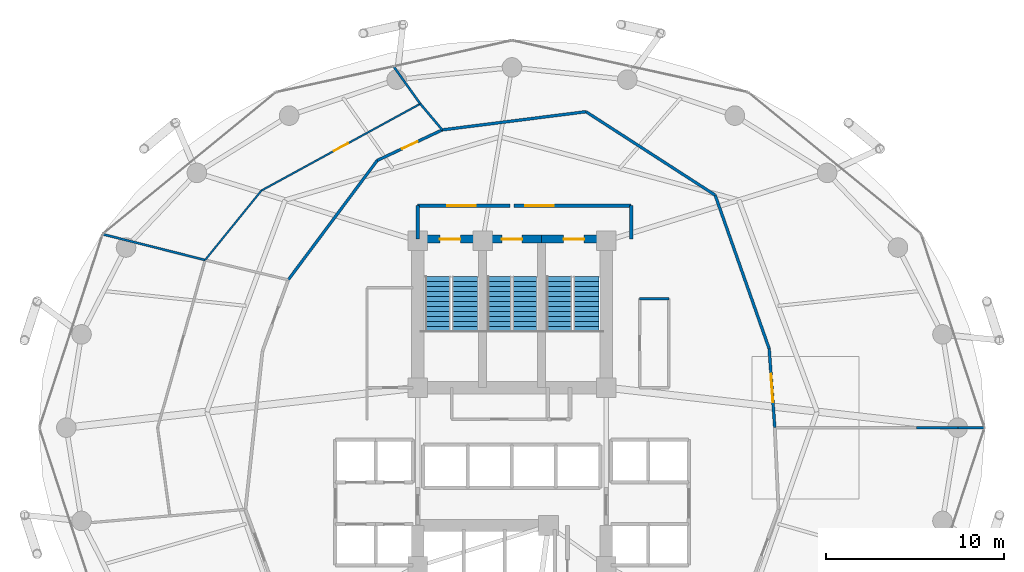
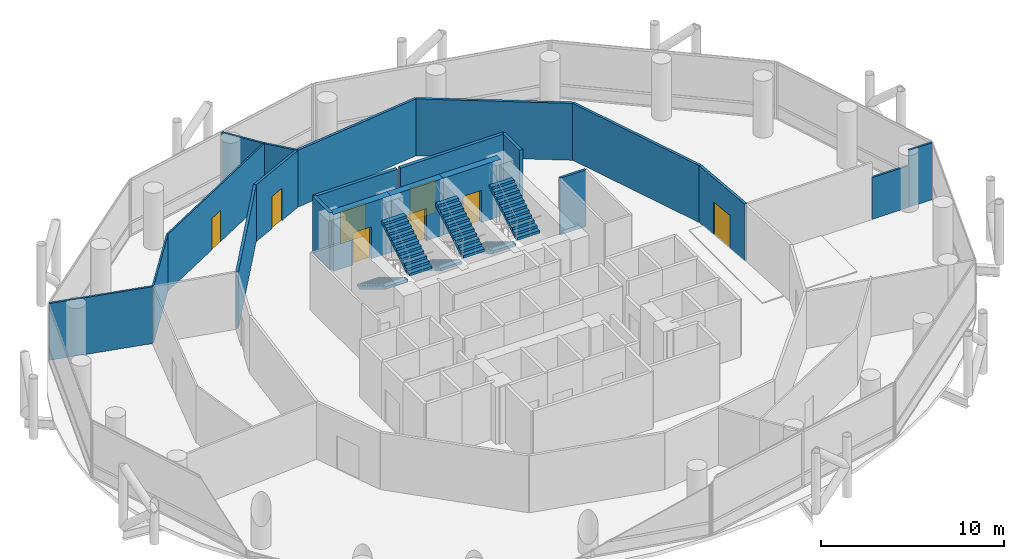
# One storey, part 23 of 24: 21 walls, 8 doors, 6 stair flights, 8 openings, 3 elements without a shape of their own.
"""IFC4 building model written with IfcOpenShell, lengths in metres."""

import ifcopenshell
import ifcopenshell.guid

model = None  # the IFC model being written
_history = None  # IfcOwnerHistory: only IFC2X3 demands one
_inside = {}  # id of a spatial element -> (the spatial element, [elements in it])
_under = {}  # id of a project, library or spatial element -> (it, [spatial elements below it])
_declared = {}  # id of a project -> (the project, [libraries it declares])
_typed = {}  # id of a type object -> (the type object, [elements of that type])
_made_of = {}  # id of a material, layer set ... -> (it, [elements and type objects made of it])


def new_model(schema):
    """Start an empty IFC model of exactly this schema.

    Asked for "IFC4X3", IfcOpenShell would pick the latest addendum, in which some entities
    have other attributes; the version numbers below select the first issue.
    IFC2X3 requires an IfcOwnerHistory on every rooted entity: one is made here for all.
    """
    global model, _history
    if schema == "IFC4X3":
        model = ifcopenshell.file(schema_version=(4, 3, 0, 0))
    else:
        model = ifcopenshell.file(schema=schema)
    _inside.clear()
    _under.clear()
    _declared.clear()
    _typed.clear()
    _made_of.clear()
    _history = None
    if model.schema == "IFC2X3":
        org = make("IfcOrganization", Name="unknown")
        user = make(
            "IfcPersonAndOrganization",
            ThePerson=make("IfcPerson", FamilyName="unknown"),
            TheOrganization=org,
        )
        app = make(
            "IfcApplication",
            ApplicationDeveloper=org,
            Version="unknown",
            ApplicationFullName="unknown",
            ApplicationIdentifier="unknown",
        )
        _history = make(
            "IfcOwnerHistory",
            OwningUser=user,
            OwningApplication=app,
            ChangeAction="ADDED",
            CreationDate=0,
        )
    return model


def make(cls, **values):
    """One entity of the class cls with the attributes given. An attribute that is None is left unset."""
    return model.create_entity(
        cls, **{name: value for name, value in values.items() if value is not None}
    )


def rooted(cls, **values):
    """An entity with a GlobalId (a new one), such as an element, a storey or a relation."""
    return make(cls, GlobalId=ifcopenshell.guid.new(), OwnerHistory=_history, **values)


def si_unit(unit_type, name, prefix=None):
    """IfcSIUnit, for example si_unit("LENGTHUNIT", "METRE", prefix="MILLI")."""
    return make("IfcSIUnit", UnitType=unit_type, Prefix=prefix, Name=name)


def assignment(units):
    """IfcUnitAssignment: the units of a project."""
    return None if units is None else make("IfcUnitAssignment", Units=units)


def point(xyz):
    """IfcCartesianPoint."""
    return None if xyz is None else make("IfcCartesianPoint", Coordinates=xyz)


def direction(xyz):
    """IfcDirection."""
    return None if xyz is None else make("IfcDirection", DirectionRatios=xyz)


def frame(location, z_axis=None, x_axis=None):
    """IfcAxis2Placement3D, a coordinate frame: its origin and axes. An axis left out is left unset."""
    return make(
        "IfcAxis2Placement3D",
        Location=point(location),
        Axis=direction(z_axis),
        RefDirection=direction(x_axis),
    )


def frame_2d(location, x_axis=None):
    """IfcAxis2Placement2D, a coordinate frame in the plane: its origin and x axis."""
    return make(
        "IfcAxis2Placement2D", Location=point(location), RefDirection=direction(x_axis)
    )


def origin():
    """The frame at (0, 0, 0) with its axes left unset."""
    return frame((0.0, 0.0, 0.0))


def place(relative_to, where):
    """IfcLocalPlacement: puts the frame where relative to a parent placement (None: the world)."""
    return make(
        "IfcLocalPlacement", PlacementRelTo=relative_to, RelativePlacement=where
    )


def context(
    kind, dimensions, precision=None, world=None, true_north=None, identifier=None
):
    """IfcGeometricRepresentationContext, for example the 3D "Model" context."""
    return make(
        "IfcGeometricRepresentationContext",
        ContextIdentifier=identifier,
        ContextType=kind,
        CoordinateSpaceDimension=dimensions,
        Precision=precision,
        WorldCoordinateSystem=world,
        TrueNorth=true_north,
    )


def subcontext(parent, identifier, kind, view, scale=None):
    """IfcGeometricRepresentationSubContext, for example "Body" below "Model"."""
    return make(
        "IfcGeometricRepresentationSubContext",
        ContextIdentifier=identifier,
        ContextType=kind,
        ParentContext=parent,
        TargetScale=scale,
        TargetView=view,
    )


def project(units=None, contexts=None):
    """IfcProject with its units and contexts."""
    return rooted(
        "IfcProject",
        Name="project",
        RepresentationContexts=contexts,
        UnitsInContext=assignment(units),
    )


def spatial(cls, under=None, at=None, **own):
    """A site, building, storey or space (cls), placed at a placement, below another one or the project."""
    s = rooted(cls, ObjectPlacement=at, **own)
    if under is not None:
        _under.setdefault(under.id(), (under, []))[1].append(s)
    return s


def polyline(points):
    """IfcPolyline through the points."""
    return make("IfcPolyline", Points=[point(p) for p in points])


def profile(cls, at=None, kind="AREA", **sizes):
    """A parametric profile (cls). Its sizes go by their IFC names, for example OverallWidth=200.0."""
    return make(cls, ProfileType=kind, Position=at, **sizes)


def rectangle(**sizes):
    """IfcRectangleProfileDef."""
    return profile("IfcRectangleProfileDef", **sizes)


def outline(outer, holes=None, kind="AREA"):
    """IfcArbitraryClosedProfileDef: a profile drawn as a closed curve; with holes, ...WithVoids."""
    if holes is None:
        return make("IfcArbitraryClosedProfileDef", ProfileType=kind, OuterCurve=outer)
    return make(
        "IfcArbitraryProfileDefWithVoids",
        ProfileType=kind,
        OuterCurve=outer,
        InnerCurves=holes,
    )


def extrude(swept, where, along, depth):
    """IfcExtrudedAreaSolid: the profile swept, set in the frame where, extruded along a direction by depth."""
    return make(
        "IfcExtrudedAreaSolid",
        SweptArea=swept,
        Position=where,
        ExtrudedDirection=direction(along),
        Depth=depth,
    )


def shape(context_of_items, identifier, shape_type, items):
    """IfcShapeRepresentation: the items that make up one representation, for example the "Body"."""
    return make(
        "IfcShapeRepresentation",
        ContextOfItems=context_of_items,
        RepresentationIdentifier=identifier,
        RepresentationType=shape_type,
        Items=items,
    )


def material(Name=None, Category=None):
    """IfcMaterial."""
    return make("IfcMaterial", Name=Name, Category=Category)


def layer(
    of_material, thickness, ventilated=None, Name=None, Category=None, Priority=None
):
    """IfcMaterialLayer: one layer of a wall or slab, of a material (None: an air gap)."""
    return make(
        "IfcMaterialLayer",
        Material=of_material,
        LayerThickness=thickness,
        IsVentilated=ventilated,
        Name=Name,
        Category=Category,
        Priority=Priority,
    )


def layer_set(layers, Name=None):
    """IfcMaterialLayerSet."""
    return make("IfcMaterialLayerSet", MaterialLayers=layers, LayerSetName=Name)


def made_of(thing, what):
    """Note that an element or type object is made of a material, layer set ...; save() writes the relation."""
    if what is not None:
        _made_of.setdefault(what.id(), (what, []))[1].append(thing)
    return thing


def type_object(cls, material=None, **own):
    """A type object (cls), such as IfcWallType, which elements share."""
    return made_of(rooted(cls, **own), material)


def element(
    cls,
    number,
    at=None,
    inside=None,
    cuts=None,
    type_object=None,
    material=None,
    context=None,
    identifier="Body",
    shape_type=None,
    held_by="IfcProductDefinitionShape",
    body=None,
    shapes=None,
    **own,
):
    """One element of the class cls, such as IfcWall. Its Tag is "e" and its number.

    at: its placement. inside: the storey or other place that contains it. cuts: it is an
    opening in that element (IfcRelVoidsElement). A single representation is given by context,
    identifier, shape_type and body (its items); several are given by shapes. held_by: the class
    of the entity that holds the representations. save() writes the other relations.
    """
    e = rooted(cls, Tag="e%d" % number, ObjectPlacement=at, **own)
    if body is not None:
        shapes = [shape(context, identifier, shape_type, body)]
    if shapes is not None:
        e.Representation = make(held_by, Representations=shapes)
    if inside is not None:
        _inside.setdefault(inside.id(), (inside, []))[1].append(e)
    if cuts is not None:
        rooted(
            "IfcRelVoidsElement", RelatingBuildingElement=cuts, RelatedOpeningElement=e
        )
    if type_object is not None:
        _typed.setdefault(type_object.id(), (type_object, []))[1].append(e)
    return made_of(e, material)


def fill(opening, filler):
    """IfcRelFillsElement: the door or window that sits in an opening."""
    return rooted(
        "IfcRelFillsElement",
        RelatingOpeningElement=opening,
        RelatedBuildingElement=filler,
    )


def aggregate(whole, parts):
    """IfcRelAggregates: a whole, such as a stair, and the parts it consists of."""
    return rooted("IfcRelAggregates", RelatingObject=whole, RelatedObjects=parts)


def save(model, path):
    """Write the relations noted so far, then the file.

    IfcRelAggregates (storeys below a building ...), IfcRelContainedInSpatialStructure (elements
    in a storey), IfcRelDefinesByType, IfcRelAssociatesMaterial and IfcRelDeclares: one each for
    every whole, place, type object, material and project.
    """
    for whole, parts in _under.values():
        aggregate(whole, parts)
    for where, things in _inside.values():
        rooted(
            "IfcRelContainedInSpatialStructure",
            RelatedElements=things,
            RelatingStructure=where,
        )
    for kind, things in _typed.values():
        rooted("IfcRelDefinesByType", RelatedObjects=things, RelatingType=kind)
    for what, things in _made_of.values():
        rooted("IfcRelAssociatesMaterial", RelatedObjects=things, RelatingMaterial=what)
    for by, libraries in _declared.values():
        rooted("IfcRelDeclares", RelatingContext=by, RelatedDefinitions=libraries)
    model.write(path)


model = new_model("IFC4")

# Units and contexts
model_context = context("Model", 3, precision=1e-05, world=origin(), true_north=direction((0.0, 1.0)))
body_context = subcontext(model_context, "Body", "Model", "MODEL_VIEW")
ifc_project = project(units=[si_unit("LENGTHUNIT", "METRE"), si_unit("AREAUNIT", "SQUARE_METRE"), si_unit("VOLUMEUNIT", "CUBIC_METRE"), si_unit("PLANEANGLEUNIT", "RADIAN"), si_unit("MASSUNIT", "GRAM", prefix="KILO")], contexts=[model_context])

# Site, building, storey
site_placement = place(None, origin())
site = spatial("IfcSite", under=ifc_project, at=site_placement, CompositionType="ELEMENT")
building_placement = place(site_placement, origin())
building = spatial("IfcBuilding", under=site, at=building_placement, Name="Nuhasar Tower", CompositionType="ELEMENT")
storey_placement = place(building_placement, frame((0.0, 0.0, 85.800048828125)))
storey = spatial("IfcBuildingStorey", under=building, at=storey_placement, Name="L20", CompositionType="ELEMENT", Elevation=85.800048828125)

# Wall, opening, door
ifc_material_1 = material(Name="Concrete C50/60", Category="concrete")
ifc_layer_1 = layer(ifc_material_1, 0.449951171875)
ifc_layer_set_1 = layer_set([ifc_layer_1], Name="Concrete C50/60")
wall_type_1 = type_object("IfcWallType", Name="WL-CORE-450", PredefinedType="SHEAR", material=ifc_layer_set_1)
wall_1_placement = place(storey_placement, frame((37.35009765625, 37.39990234375, 0.0), z_axis=(0.0, 0.0, 1.0), x_axis=(-1.0, 0.0, 0.0)))
wall_1 = element("IfcWall", 1, at=wall_1_placement, inside=storey, type_object=wall_type_1, Name="L20 Stairwell Shear Wall ST01-N", PredefinedType="SHEAR", context=body_context, shape_type="SweptSolid", body=[
    extrude(rectangle(XDim=3.650146484375, YDim=0.449951171875, at=frame_2d((1.8251953125, 0.0))), origin(), (0.0, 0.0, 1.0), 3.800048828125),
])
opening_1_placement = place(wall_1_placement, frame((1.25, 0.0, 0.0)))
opening_1 = element("IfcOpeningElement", 2, at=opening_1_placement, cuts=wall_1, Name="Opening DS-01", PredefinedType="OPENING", context=body_context, shape_type="SweptSolid", body=[
    extrude(rectangle(XDim=1.14990234375, YDim=2.14990234375, at=frame_2d((0.574951171875, 1.074951171875))), frame((0.0, 0.23486328125, 0.0), z_axis=(0.0, -1.0, 0.0), x_axis=(1.0, 0.0, 0.0)), (0.0, 0.0, 1.0), 0.469970703125),
])
ifc_material_2 = material(Name="Steel S355", Category="steel")
door_type_1 = type_object("IfcDoorType", Name="DR-STAIR-FD120-1150", OperationType="NOTDEFINED", PredefinedType="DOOR", material=ifc_material_2)
door_1_placement = place(opening_1_placement, origin())
door_1 = element("IfcDoor", 3, at=door_1_placement, inside=storey, type_object=door_type_1, Name="L20 Exit Stair ST-01 Door", OperationType="SINGLE_SWING_RIGHT", OverallHeight=2.14990234375, OverallWidth=1.14990234375, PredefinedType="DOOR", context=body_context, shape_type="SweptSolid", body=[
    extrude(rectangle(XDim=1.14990234375, YDim=2.14990234375, at=frame_2d((0.574951171875, 1.074951171875))), frame((0.0, 0.02490234375, 0.0), z_axis=(0.0, -1.0, 0.0), x_axis=(1.0, 0.0, 0.0)), (0.0, 0.0, 1.0), 0.050048828125),
])
fill(opening_1, door_1)

wall_2_placement = place(storey_placement, frame((40.64990234375, 37.39990234375, 0.0), z_axis=(0.0, 0.0, 1.0), x_axis=(-1.0, 0.0, 0.0)))
wall_2 = element("IfcWall", 4, at=wall_2_placement, inside=storey, type_object=wall_type_1, Name="L20 Stairwell Shear Wall ST03-N", PredefinedType="SHEAR", context=body_context, shape_type="SweptSolid", body=[
    extrude(rectangle(XDim=3.2998046875, YDim=0.449951171875, at=frame_2d((1.64990234375, 0.0))), origin(), (0.0, 0.0, 1.0), 3.800048828125),
])
opening_2_placement = place(wall_2_placement, frame((1.074951171875, 0.0, 0.0)))
opening_2 = element("IfcOpeningElement", 5, at=opening_2_placement, cuts=wall_2, Name="Opening DS-01", PredefinedType="OPENING", context=body_context, shape_type="SweptSolid", body=[
    extrude(rectangle(XDim=1.14990234375, YDim=2.14990234375, at=frame_2d((0.574951171875, 1.074951171875))), frame((0.0, 0.23486328125, 0.0), z_axis=(0.0, -1.0, 0.0), x_axis=(1.0, 0.0, 0.0)), (0.0, 0.0, 1.0), 0.469970703125),
])
door_2_placement = place(opening_2_placement, origin())
door_2 = element("IfcDoor", 6, at=door_2_placement, inside=storey, type_object=door_type_1, Name="L20 Exit Stair ST-03 Door", OperationType="SINGLE_SWING_RIGHT", OverallHeight=2.14990234375, OverallWidth=1.14990234375, PredefinedType="DOOR", context=body_context, shape_type="SweptSolid", body=[
    extrude(rectangle(XDim=1.14990234375, YDim=2.14990234375, at=frame_2d((0.574951171875, 1.074951171875))), frame((0.0, 0.02490234375, 0.0), z_axis=(0.0, -1.0, 0.0), x_axis=(1.0, 0.0, 0.0)), (0.0, 0.0, 1.0), 0.050048828125),
])
fill(opening_2, door_2)

wall_3_placement = place(storey_placement, frame((44.300048828125, 37.39990234375, 0.0), z_axis=(0.0, 0.0, 1.0), x_axis=(-1.0, 0.0, 0.0)))
wall_3 = element("IfcWall", 7, at=wall_3_placement, inside=storey, type_object=wall_type_1, Name="L20 Stairwell Shear Wall ST02-N", PredefinedType="SHEAR", context=body_context, shape_type="SweptSolid", body=[
    extrude(rectangle(XDim=3.650146484375, YDim=0.449951171875, at=frame_2d((1.8251953125, 0.0))), origin(), (0.0, 0.0, 1.0), 3.800048828125),
])
opening_3_placement = place(wall_3_placement, frame((1.25, 0.0, 0.0)))
opening_3 = element("IfcOpeningElement", 8, at=opening_3_placement, cuts=wall_3, Name="Opening DS-01", PredefinedType="OPENING", context=body_context, shape_type="SweptSolid", body=[
    extrude(rectangle(XDim=1.14990234375, YDim=2.14990234375, at=frame_2d((0.574951171875, 1.074951171875))), frame((0.0, 0.23486328125, 0.0), z_axis=(0.0, -1.0, 0.0), x_axis=(1.0, 0.0, 0.0)), (0.0, 0.0, 1.0), 0.469970703125),
])
door_3_placement = place(opening_3_placement, origin())
door_3 = element("IfcDoor", 9, at=door_3_placement, inside=storey, type_object=door_type_1, Name="L20 Exit Stair ST-02 Door", OperationType="SINGLE_SWING_LEFT", OverallHeight=2.14990234375, OverallWidth=1.14990234375, PredefinedType="DOOR", context=body_context, shape_type="SweptSolid", body=[
    extrude(rectangle(XDim=1.14990234375, YDim=2.14990234375, at=frame_2d((0.574951171875, 1.074951171875))), frame((0.0, 0.02490234375, 0.0), z_axis=(0.0, -1.0, 0.0), x_axis=(1.0, 0.0, 0.0)), (0.0, 0.0, 1.0), 0.050048828125),
])
fill(opening_3, door_3)

ifc_material_3 = material(Name="Gypsum Board", Category="gypsum")
ifc_layer_2 = layer(ifc_material_3, 0.159912109375)
ifc_layer_set_2 = layer_set([ifc_layer_2], Name="Gypsum Board")
wall_type_2 = type_object("IfcWallType", Name="WL-CORR-160", PredefinedType="PARTITIONING", material=ifc_layer_set_2)
wall_4_placement = place(storey_placement, frame((53.455078125, 31.23388671875, 0.0), z_axis=(0.0, 0.0, 1.0), x_axis=(0.070852813603, -0.997486781268, 0.0)))
wall_4 = element("IfcWall", 10, at=wall_4_placement, inside=storey, type_object=wall_type_2, Name="L20 Interior Partition CORR-00", PredefinedType="PARTITIONING", context=body_context, shape_type="SweptSolid", body=[
    extrude(rectangle(XDim=4.445068359375, YDim=0.159912109375, at=frame_2d((2.22265625, 0.0))), origin(), (0.0, 0.0, 1.0), 3.800048828125),
])
opening_4_placement = place(wall_4_placement, frame((1.423095703125, 0.0, 0.0)))
opening_4 = element("IfcOpeningElement", 11, at=opening_4_placement, cuts=wall_4, Name="Opening DC-01", PredefinedType="OPENING", context=body_context, shape_type="SweptSolid", body=[
    extrude(rectangle(XDim=1.60009765625, YDim=2.199951171875, at=frame_2d((0.800048828125, 1.10009765625))), frame((0.0, 0.08984375, 0.0), z_axis=(0.0, -1.0, 0.0), x_axis=(1.0, 0.0, 0.0)), (0.0, 0.0, 1.0), 0.179931640625),
])
door_type_2 = type_object("IfcDoorType", Name="DR-CORR-FD60-1600", OperationType="DOUBLE_DOOR_SINGLE_SWING", PredefinedType="DOOR", material=ifc_material_2)
door_4_placement = place(opening_4_placement, origin())
door_4 = element("IfcDoor", 12, at=door_4_placement, inside=storey, type_object=door_type_2, Name="L20 Diplomatic Chancery Open-Plan Hall Entry Door", OperationType="DOUBLE_DOOR_SINGLE_SWING", OverallHeight=2.199951171875, OverallWidth=1.60009765625, PredefinedType="DOOR", context=body_context, shape_type="SweptSolid", body=[
    extrude(rectangle(XDim=1.60009765625, YDim=2.199951171875, at=frame_2d((0.800048828125, 1.10009765625))), frame((0.0, 0.02490234375, 0.0), z_axis=(0.0, -1.0, 0.0), x_axis=(1.0, 0.0, 0.0)), (0.0, 0.0, 1.0), 0.050048828125),
])
fill(opening_4, door_4)

# Walls
wall_5_placement = place(storey_placement, frame((53.455078125, 31.23388671875, 0.0), z_axis=(0.0, 0.0, 1.0), x_axis=(-0.331754156234, 0.943365878025, 0.0)))
element("IfcWall", 13, at=wall_5_placement, inside=storey, type_object=wall_type_2, Name="L20 Interior Partition CORR-02", PredefinedType="PARTITIONING", context=body_context, shape_type="SweptSolid", body=[
    extrude(rectangle(XDim=9.15478515625, YDim=0.159912109375, at=frame_2d((4.577392578125, 0.0))), origin(), (0.0, 0.0, 1.0), 3.800048828125),
])
wall_6_placement = place(storey_placement, frame((50.41796875, 39.8701171875, 0.0), z_axis=(0.0, 0.0, 1.0), x_axis=(-0.840113125335, 0.542411224662, 0.0)))
element("IfcWall", 14, at=wall_6_placement, inside=storey, type_object=wall_type_2, Name="L20 Interior Partition CORR-06", PredefinedType="PARTITIONING", context=body_context, shape_type="SweptSolid", body=[
    extrude(rectangle(XDim=8.642822265625, YDim=0.159912109375, at=frame_2d((4.3212890625, 0.0))), origin(), (0.0, 0.0, 1.0), 3.800048828125),
])
wall_7_placement = place(storey_placement, frame((43.156982421875, 44.55810546875, 0.0), z_axis=(0.0, 0.0, 1.0), x_axis=(-0.992082384678, -0.125588781395, 0.0)))
element("IfcWall", 15, at=wall_7_placement, inside=storey, type_object=wall_type_2, Name="L20 Interior Partition CORR-10", PredefinedType="PARTITIONING", context=body_context, shape_type="SweptSolid", body=[
    extrude(rectangle(XDim=8.139404296875, YDim=0.159912109375, at=frame_2d((4.06982421875, 0.0))), origin(), (0.0, 0.0, 1.0), 3.800048828125),
])

# Wall, opening, door
wall_8_placement = place(storey_placement, frame((31.425048828125, 41.818115234375, 0.0), z_axis=(0.0, 0.0, 1.0), x_axis=(0.905119749385, 0.42515672319, 0.0)))
wall_8 = element("IfcWall", 16, at=wall_8_placement, inside=storey, type_object=wall_type_2, Name="L20 Interior Partition CORR-14", PredefinedType="PARTITIONING", context=body_context, shape_type="SweptSolid", body=[
    extrude(rectangle(XDim=4.040283203125, YDim=0.159912109375, at=frame_2d((2.02001953125, 0.0))), origin(), (0.0, 0.0, 1.0), 3.800048828125),
])
opening_5_placement = place(wall_8_placement, frame((1.544921875, 0.0, 0.0)))
opening_5 = element("IfcOpeningElement", 17, at=opening_5_placement, cuts=wall_8, Name="Opening DO-01", PredefinedType="OPENING", context=body_context, shape_type="SweptSolid", body=[
    extrude(rectangle(XDim=0.949951171875, YDim=2.14990234375, at=frame_2d((0.47509765625, 1.074951171875))), frame((0.0, 0.08984375, 0.0), z_axis=(0.0, -1.0, 0.0), x_axis=(1.0, 0.0, 0.0)), (0.0, 0.0, 1.0), 0.179931640625),
])
ifc_material_4 = material(Name="Timber Oak", Category="wood")
door_type_3 = type_object("IfcDoorType", Name="DR-OFFICE-FD30-950", OperationType="NOTDEFINED", PredefinedType="DOOR", material=ifc_material_4)
door_5_placement = place(opening_5_placement, origin())
door_5 = element("IfcDoor", 18, at=door_5_placement, inside=storey, type_object=door_type_3, Name="L20 Ambassador Ceremonial Hall Entry Door", OperationType="SINGLE_SWING_LEFT", OverallHeight=2.14990234375, OverallWidth=0.949951171875, PredefinedType="DOOR", context=body_context, shape_type="SweptSolid", body=[
    extrude(rectangle(XDim=0.949951171875, YDim=2.14990234375, at=frame_2d((0.47509765625, 1.074951171875))), frame((0.0, 0.02490234375, 0.0), z_axis=(0.0, -1.0, 0.0), x_axis=(1.0, 0.0, 0.0)), (0.0, 0.0, 1.0), 0.050048828125),
])
fill(opening_5, door_5)

# Walls
wall_9_placement = place(storey_placement, frame((31.425048828125, 41.818115234375, 0.0), z_axis=(0.0, 0.0, 1.0), x_axis=(-0.597625536664, -0.801775353779, 0.0)))
element("IfcWall", 19, at=wall_9_placement, inside=storey, type_object=wall_type_2, Name="L20 Interior Partition CORR-16", PredefinedType="PARTITIONING", context=body_context, shape_type="SweptSolid", body=[
    extrude(rectangle(XDim=8.366455078125, YDim=0.159912109375, at=frame_2d((4.18310546875, 0.0))), origin(), (0.0, 0.0, 1.0), 3.800048828125),
])
ifc_material_5 = material(Name="Concrete C45/55", Category="concrete")
ifc_layer_3 = layer(ifc_material_5, 0.199951171875)
ifc_layer_set_3 = layer_set([ifc_layer_3], Name="Concrete C45/55")
wall_type_3 = type_object("IfcWallType", Name="WL-LOBBY-200", PredefinedType="SOLIDWALL", material=ifc_layer_set_3)
for number, where, z_axis, x_axis, name in (
    (20, (33.699951171875, 37.39990234375, 0.0), (0.0, 0.0, 1.0), (0.0, 1.0, 0.0), "L20 Interior Partition NSL-W"),
    (21, (45.699951171875, 37.39990234375, 0.0), (0.0, 0.0, 1.0), (0.0, 1.0, 0.0), "L20 Interior Partition NSL-E"),
):
    element("IfcWall", number, at=place(storey_placement, frame(where, z_axis=z_axis, x_axis=x_axis)), inside=storey, type_object=wall_type_3, Name=name, PredefinedType="SOLIDWALL", context=body_context, shape_type="SweptSolid", body=[
        extrude(rectangle(XDim=1.880126953125, YDim=0.199951171875, at=frame_2d((0.93994140625, 0.0))), origin(), (0.0, 0.0, 1.0), 3.800048828125),
    ])

# Wall, opening, door
wall_10_placement = place(storey_placement, frame((38.89990234375, 39.280029296875, 0.0), z_axis=(0.0, 0.0, 1.0), x_axis=(-1.0, 0.0, 0.0)))
wall_10 = element("IfcWall", 22, at=wall_10_placement, inside=storey, type_object=wall_type_3, Name="L20 Interior Partition NSL-N1", PredefinedType="SOLIDWALL", context=body_context, shape_type="SweptSolid", body=[
    extrude(rectangle(XDim=5.199951171875, YDim=0.199951171875, at=frame_2d((2.60009765625, 0.0))), origin(), (0.0, 0.0, 1.0), 3.800048828125),
])
opening_6_placement = place(wall_10_placement, frame((1.949951171875, 0.0, 0.0)))
opening_6 = element("IfcOpeningElement", 23, at=opening_6_placement, cuts=wall_10, Name="Opening DC-01", PredefinedType="OPENING", context=body_context, shape_type="SweptSolid", body=[
    extrude(rectangle(XDim=1.60009765625, YDim=2.199951171875, at=frame_2d((0.800048828125, 1.10009765625))), frame((0.0, 0.10986328125, 0.0), z_axis=(0.0, -1.0, 0.0), x_axis=(1.0, 0.0, 0.0)), (0.0, 0.0, 1.0), 0.219970703125),
])
door_6_placement = place(opening_6_placement, origin())
door_6 = element("IfcDoor", 24, at=door_6_placement, inside=storey, type_object=door_type_2, Name="L20 North Stair Lobby West Door", OperationType="DOUBLE_DOOR_SINGLE_SWING", OverallHeight=2.199951171875, OverallWidth=1.60009765625, PredefinedType="DOOR", context=body_context, shape_type="SweptSolid", body=[
    extrude(rectangle(XDim=1.60009765625, YDim=2.199951171875, at=frame_2d((0.800048828125, 1.10009765625))), frame((0.0, 0.02490234375, 0.0), z_axis=(0.0, -1.0, 0.0), x_axis=(1.0, 0.0, 0.0)), (0.0, 0.0, 1.0), 0.050048828125),
])
fill(opening_6, door_6)

wall_11_placement = place(storey_placement, frame((45.699951171875, 39.280029296875, 0.0), z_axis=(0.0, 0.0, 1.0), x_axis=(-1.0, 0.0, 0.0)))
wall_11 = element("IfcWall", 25, at=wall_11_placement, inside=storey, type_object=wall_type_3, Name="L20 Interior Partition NSL-N2", PredefinedType="SOLIDWALL", context=body_context, shape_type="SweptSolid", body=[
    extrude(rectangle(XDim=6.599853515625, YDim=0.199951171875, at=frame_2d((3.2998046875, 0.0))), origin(), (0.0, 0.0, 1.0), 3.800048828125),
])
opening_7_placement = place(wall_11_placement, frame((4.35009765625, 0.0, 0.0)))
opening_7 = element("IfcOpeningElement", 26, at=opening_7_placement, cuts=wall_11, Name="Opening DC-01", PredefinedType="OPENING", context=body_context, shape_type="SweptSolid", body=[
    extrude(rectangle(XDim=1.60009765625, YDim=2.199951171875, at=frame_2d((0.800048828125, 1.10009765625))), frame((0.0, 0.10986328125, 0.0), z_axis=(0.0, -1.0, 0.0), x_axis=(1.0, 0.0, 0.0)), (0.0, 0.0, 1.0), 0.219970703125),
])
door_7_placement = place(opening_7_placement, origin())
door_7 = element("IfcDoor", 27, at=door_7_placement, inside=storey, type_object=door_type_2, Name="L20 North Stair Lobby East Door", OperationType="DOUBLE_DOOR_SINGLE_SWING", OverallHeight=2.199951171875, OverallWidth=1.60009765625, PredefinedType="DOOR", context=body_context, shape_type="SweptSolid", body=[
    extrude(rectangle(XDim=1.60009765625, YDim=2.199951171875, at=frame_2d((0.800048828125, 1.10009765625))), frame((0.0, 0.02490234375, 0.0), z_axis=(0.0, -1.0, 0.0), x_axis=(1.0, 0.0, 0.0)), (0.0, 0.0, 1.0), 0.050048828125),
])
fill(opening_7, door_7)

ifc_material_6 = material(Name="Aluminium 6063-T6", Category="aluminium")
ifc_layer_4 = layer(ifc_material_6, 0.10009765625)
ifc_layer_set_4 = layer_set([ifc_layer_4], Name="Aluminium 6063-T6")
wall_type_4 = type_object("IfcWallType", Name="WL-MOVABLE-100", PredefinedType="MOVABLE", material=ifc_layer_set_4)
wall_12_placement = place(storey_placement, frame((24.916015625, 40.125, 0.0), z_axis=(0.0, 0.0, 1.0), x_axis=(0.877622145541, 0.479353074107, 0.0)))
wall_12 = element("IfcWall", 28, at=wall_12_placement, inside=storey, type_object=wall_type_4, Name="L20 Interior Partition OMID-02-14", PredefinedType="MOVABLE", context=body_context, shape_type="SweptSolid", body=[
    extrude(rectangle(XDim=10.174072265625, YDim=0.10009765625, at=frame_2d((5.0869140625, 0.0))), origin(), (0.0, 0.0, 1.0), 3.800048828125),
])
opening_8_placement = place(wall_12_placement, frame((4.636962890625, 0.0, 0.0)))
opening_8 = element("IfcOpeningElement", 29, at=opening_8_placement, cuts=wall_12, Name="Opening DR-01", PredefinedType="OPENING", context=body_context, shape_type="SweptSolid", body=[
    extrude(rectangle(XDim=0.89990234375, YDim=2.10009765625, at=frame_2d((0.449951171875, 1.050048828125))), frame((0.0, 0.06005859375, 0.0), z_axis=(0.0, -1.0, 0.0), x_axis=(1.0, 0.0, 0.0)), (0.0, 0.0, 1.0), 0.1201171875),
])
door_type_4 = type_object("IfcDoorType", Name="DR-ROOM-900", OperationType="NOTDEFINED", PredefinedType="DOOR", material=ifc_material_4)
door_8_placement = place(opening_8_placement, origin())
door_8 = element("IfcDoor", 30, at=door_8_placement, inside=storey, type_object=door_type_4, Name="L20 Ambassador Ceremonial Hall Inner Door", OperationType="SINGLE_SWING_RIGHT", OverallHeight=2.10009765625, OverallWidth=0.89990234375, PredefinedType="DOOR", context=body_context, shape_type="SweptSolid", body=[
    extrude(rectangle(XDim=0.89990234375, YDim=2.10009765625, at=frame_2d((0.449951171875, 1.050048828125))), frame((0.0, 0.02490234375, 0.0), z_axis=(0.0, -1.0, 0.0), x_axis=(1.0, 0.0, 0.0)), (0.0, 0.0, 1.0), 0.050048828125),
])
fill(opening_8, door_8)

# Walls
wall_13_placement = place(storey_placement, frame((24.916015625, 40.125, 0.0), z_axis=(0.0, 0.0, 1.0), x_axis=(-0.629847907994, -0.776718490057, 0.0)))
element("IfcWall", 31, at=wall_13_placement, inside=storey, type_object=wall_type_4, Name="L20 Interior Partition OMID-02-18", PredefinedType="MOVABLE", context=body_context, shape_type="SweptSolid", body=[
    extrude(rectangle(XDim=5.025146484375, YDim=0.10009765625, at=frame_2d((2.5126953125, 0.0))), origin(), (0.0, 0.0, 1.0), 3.800048828125),
])
ifc_layer_5 = layer(ifc_material_3, 0.125)
ifc_layer_set_5 = layer_set([ifc_layer_5], Name="Gypsum Board")
wall_type_5 = type_object("IfcWallType", Name="WL-PART-125", PredefinedType="PARTITIONING", material=ifc_layer_set_5)
wall_14_placement = place(storey_placement, frame((61.72998046875, 26.800048828125, 0.0), z_axis=(0.0, 0.0, 1.0), x_axis=(1.0, 0.0, 0.0)))
element("IfcWall", 32, at=wall_14_placement, inside=storey, type_object=wall_type_5, Name="L20 Interior Partition ORAD-00", PredefinedType="PARTITIONING", context=body_context, shape_type="SweptSolid", body=[
    extrude(rectangle(XDim=2.326904296875, YDim=0.125, at=frame_2d((1.16357421875, 0.0))), origin(), (0.0, 0.0, 1.0), 2.7900390625),
])
wall_15_placement = place(storey_placement, frame((64.056884765625, 26.800048828125, 0.0), z_axis=(0.0, 0.0, 1.0), x_axis=(1.0, 0.0, 0.0)))
element("IfcWall", 33, at=wall_15_placement, inside=storey, type_object=wall_type_5, Name="L20 Interior Partition ORAD-00", PredefinedType="PARTITIONING", context=body_context, shape_type="SweptSolid", body=[
    extrude(rectangle(XDim=1.468017578125, YDim=0.125, at=frame_2d((0.73388671875, 0.0))), origin(), (0.0, 0.0, 1.0), 3.800048828125),
])
wall_16_placement = place(storey_placement, frame((35.08203125, 43.535888671875, 0.0), z_axis=(0.0, 0.0, 1.0), x_axis=(-0.644891848608, 0.764273840713, 0.0)))
element("IfcWall", 34, at=wall_16_placement, inside=storey, type_object=wall_type_5, Name="L20 Interior Partition ORAD-14-S1", PredefinedType="PARTITIONING", context=body_context, shape_type="SweptSolid", body=[
    extrude(rectangle(XDim=1.918212890625, YDim=0.125, at=frame_2d((0.958984375, 0.0))), origin(), (0.0, 0.0, 1.0), 3.800048828125),
])
wall_17_placement = place(storey_placement, frame((33.844970703125, 45.001953125, 0.0), z_axis=(0.0, 0.0, 1.0), x_axis=(-0.581119990345, 0.813817889224, 0.0)))
element("IfcWall", 35, at=wall_17_placement, inside=storey, type_object=wall_type_5, Name="L20 Interior Partition ORAD-14-S2", PredefinedType="PARTITIONING", context=body_context, shape_type="SweptSolid", body=[
    extrude(rectangle(XDim=2.5400390625, YDim=0.125, at=frame_2d((1.27001953125, 0.0))), origin(), (0.0, 0.0, 1.0), 3.800048828125),
])
wall_18_placement = place(storey_placement, frame((21.7509765625, 36.221923828125, 0.0), z_axis=(0.0, 0.0, 1.0), x_axis=(-0.969715081033, 0.244238943693, 0.0)))
element("IfcWall", 36, at=wall_18_placement, inside=storey, type_object=wall_type_5, Name="L20 Interior Partition ORAD-20-S2", PredefinedType="PARTITIONING", context=body_context, shape_type="SweptSolid", body=[
    extrude(rectangle(XDim=5.900634765625, YDim=0.125, at=frame_2d((2.9501953125, 0.0))), origin(), (0.0, 0.0, 1.0), 3.800048828125),
])
ifc_material_7 = material(Name="Concrete C40/50 precast", Category="concrete")
ifc_layer_6 = layer(ifc_material_7, 0.139892578125)
ifc_layer_set_6 = layer_set([ifc_layer_6], Name="Concrete C40/50 precast")
wall_type_6 = type_object("IfcWallType", Name="WL-WET-140", PredefinedType="PARTITIONING", material=ifc_layer_set_6)
wall_19_placement = place(storey_placement, frame((46.179931640625, 34.050048828125, 0.0), z_axis=(0.0, 0.0, 1.0), x_axis=(1.0, 0.0, 0.0)))
element("IfcWall", 37, at=wall_19_placement, inside=storey, type_object=wall_type_6, Name="L20 Interior Partition K3-NE-N", PredefinedType="PARTITIONING", context=body_context, shape_type="SweptSolid", body=[
    extrude(rectangle(XDim=1.64013671875, YDim=0.139892578125, at=frame_2d((0.820068359375, 0.0))), origin(), (0.0, 0.0, 1.0), 3.800048828125),
])

# Stair, stair flights
stair_type_1 = type_object("IfcStairType", Name="STR-ST-01-2F-24R-1688", PredefinedType="HALF_TURN_STAIR", material=ifc_material_5)
stair_1_placement = place(storey_placement, origin())
stair_1 = element("IfcStair", 38, at=stair_1_placement, inside=storey, type_object=stair_type_1, Name="L20 Exit Stair ST-01", PredefinedType="HALF_TURN_STAIR")
stair_flight_type_1 = type_object("IfcStairFlightType", Name="SFL-ST-01-12R-1688", PredefinedType="STRAIGHT", material=ifc_material_5)
stair_flight_1_placement = place(storey_placement, frame((34.830078125, 35.284912109375, 0.0), z_axis=(0.0, 0.0, 1.0), x_axis=(0.0, -1.0, 0.0)))
stair_flight_1 = element("IfcStairFlight", 39, at=stair_flight_1_placement, type_object=stair_flight_type_1, Name="ST-01 flight 1", NumberOfRisers=12, NumberOfTreads=11, PredefinedType="STRAIGHT", RiserHeight=0.16875, TreadLength=0.28, context=body_context, shape_type="SweptSolid", body=[
    extrude(outline(polyline([(0.0, 0.0), (0.0, 0.168701171875), (0.280029296875, 0.168701171875), (0.280029296875, 0.33740234375), (0.56005859375, 0.33740234375), (0.56005859375, 0.50634765625), (0.840087890625, 0.50634765625), (0.840087890625, 0.675048828125), (1.1201171875, 0.675048828125), (1.1201171875, 0.84375), (1.39990234375, 0.84375), (1.39990234375, 1.012451171875), (1.679931640625, 1.012451171875), (1.679931640625, 1.18115234375), (1.9599609375, 1.18115234375), (1.9599609375, 1.35009765625), (2.239990234375, 1.35009765625), (2.239990234375, 1.518798828125), (2.52001953125, 1.518798828125), (2.52001953125, 1.6875), (2.800048828125, 1.6875), (2.800048828125, 1.856201171875), (3.080078125, 1.856201171875), (3.080078125, 2.02490234375), (3.080078125, 1.66943359375), (0.309814453125, 0.0), (0.0, 0.0)])), frame((0.0, 0.7099609375, 0.0), z_axis=(0.0, -1.0, 0.0), x_axis=(1.0, 0.0, 0.0)), (0.0, 0.0, 1.0), 1.419921875),
])
stair_flight_2_placement = place(storey_placement, frame((36.35009765625, 32.205078125, 2.02490234375), z_axis=(0.0, 0.0, 1.0), x_axis=(0.0, 1.0, 0.0)))
stair_flight_2 = element("IfcStairFlight", 40, at=stair_flight_2_placement, type_object=stair_flight_type_1, Name="ST-01 flight 2", NumberOfRisers=12, NumberOfTreads=11, PredefinedType="STRAIGHT", RiserHeight=0.16875, TreadLength=0.28, context=body_context, shape_type="SweptSolid", body=[
    extrude(outline(polyline([(0.0, 0.0), (0.0, 0.168701171875), (0.280029296875, 0.168701171875), (0.280029296875, 0.33740234375), (0.56005859375, 0.33740234375), (0.56005859375, 0.50634765625), (0.840087890625, 0.50634765625), (0.840087890625, 0.675048828125), (1.1201171875, 0.675048828125), (1.1201171875, 0.84375), (1.39990234375, 0.84375), (1.39990234375, 1.012451171875), (1.679931640625, 1.012451171875), (1.679931640625, 1.18115234375), (1.9599609375, 1.18115234375), (1.9599609375, 1.35009765625), (2.239990234375, 1.35009765625), (2.239990234375, 1.518798828125), (2.52001953125, 1.518798828125), (2.52001953125, 1.6875), (2.800048828125, 1.6875), (2.800048828125, 1.856201171875), (3.080078125, 1.856201171875), (3.080078125, 2.02490234375), (3.080078125, 1.66943359375), (0.309814453125, 0.0), (0.0, 0.0)])), frame((0.0, 0.7099609375, 0.0), z_axis=(0.0, -1.0, 0.0), x_axis=(1.0, 0.0, 0.0)), (0.0, 0.0, 1.0), 1.419921875),
])
aggregate(stair_1, [stair_flight_1, stair_flight_2])

stair_type_2 = type_object("IfcStairType", Name="STR-ST-02-2F-24R-1688", PredefinedType="HALF_TURN_STAIR", material=ifc_material_5)
stair_2_placement = place(storey_placement, origin())
stair_2 = element("IfcStair", 41, at=stair_2_placement, inside=storey, type_object=stair_type_2, Name="L20 Exit Stair ST-02", PredefinedType="HALF_TURN_STAIR")
stair_flight_type_2 = type_object("IfcStairFlightType", Name="SFL-ST-02-12R-1688", PredefinedType="STRAIGHT", material=ifc_material_5)
stair_flight_3_placement = place(storey_placement, frame((41.64990234375, 35.284912109375, 0.0), z_axis=(0.0, 0.0, 1.0), x_axis=(0.0, -1.0, 0.0)))
stair_flight_3 = element("IfcStairFlight", 42, at=stair_flight_3_placement, type_object=stair_flight_type_2, Name="ST-02 flight 1", NumberOfRisers=12, NumberOfTreads=11, PredefinedType="STRAIGHT", RiserHeight=0.16875, TreadLength=0.28, context=body_context, shape_type="SweptSolid", body=[
    extrude(outline(polyline([(0.0, 0.0), (0.0, 0.168701171875), (0.280029296875, 0.168701171875), (0.280029296875, 0.33740234375), (0.56005859375, 0.33740234375), (0.56005859375, 0.50634765625), (0.840087890625, 0.50634765625), (0.840087890625, 0.675048828125), (1.1201171875, 0.675048828125), (1.1201171875, 0.84375), (1.39990234375, 0.84375), (1.39990234375, 1.012451171875), (1.679931640625, 1.012451171875), (1.679931640625, 1.18115234375), (1.9599609375, 1.18115234375), (1.9599609375, 1.35009765625), (2.239990234375, 1.35009765625), (2.239990234375, 1.518798828125), (2.52001953125, 1.518798828125), (2.52001953125, 1.6875), (2.800048828125, 1.6875), (2.800048828125, 1.856201171875), (3.080078125, 1.856201171875), (3.080078125, 2.02490234375), (3.080078125, 1.66943359375), (0.309814453125, 0.0), (0.0, 0.0)])), frame((0.0, 0.7099609375, 0.0), z_axis=(0.0, -1.0, 0.0), x_axis=(1.0, 0.0, 0.0)), (0.0, 0.0, 1.0), 1.419921875),
])
stair_flight_4_placement = place(storey_placement, frame((43.169921875, 32.205078125, 2.02490234375), z_axis=(0.0, 0.0, 1.0), x_axis=(0.0, 1.0, 0.0)))
stair_flight_4 = element("IfcStairFlight", 43, at=stair_flight_4_placement, type_object=stair_flight_type_2, Name="ST-02 flight 2", NumberOfRisers=12, NumberOfTreads=11, PredefinedType="STRAIGHT", RiserHeight=0.16875, TreadLength=0.28, context=body_context, shape_type="SweptSolid", body=[
    extrude(outline(polyline([(0.0, 0.0), (0.0, 0.168701171875), (0.280029296875, 0.168701171875), (0.280029296875, 0.33740234375), (0.56005859375, 0.33740234375), (0.56005859375, 0.50634765625), (0.840087890625, 0.50634765625), (0.840087890625, 0.675048828125), (1.1201171875, 0.675048828125), (1.1201171875, 0.84375), (1.39990234375, 0.84375), (1.39990234375, 1.012451171875), (1.679931640625, 1.012451171875), (1.679931640625, 1.18115234375), (1.9599609375, 1.18115234375), (1.9599609375, 1.35009765625), (2.239990234375, 1.35009765625), (2.239990234375, 1.518798828125), (2.52001953125, 1.518798828125), (2.52001953125, 1.6875), (2.800048828125, 1.6875), (2.800048828125, 1.856201171875), (3.080078125, 1.856201171875), (3.080078125, 2.02490234375), (3.080078125, 1.66943359375), (0.309814453125, 0.0), (0.0, 0.0)])), frame((0.0, 0.7099609375, 0.0), z_axis=(0.0, -1.0, 0.0), x_axis=(1.0, 0.0, 0.0)), (0.0, 0.0, 1.0), 1.419921875),
])
aggregate(stair_2, [stair_flight_3, stair_flight_4])

stair_type_3 = type_object("IfcStairType", Name="STR-ST-03-2F-24R-1688", PredefinedType="HALF_TURN_STAIR", material=ifc_material_5)
stair_3_placement = place(storey_placement, origin())
stair_3 = element("IfcStair", 44, at=stair_3_placement, inside=storey, type_object=stair_type_3, Name="L20 Exit Stair ST-03", PredefinedType="HALF_TURN_STAIR")
stair_flight_type_3 = type_object("IfcStairFlightType", Name="SFL-ST-03-12R-1688", PredefinedType="STRAIGHT", material=ifc_material_5)
stair_flight_5_placement = place(storey_placement, frame((38.280029296875, 35.284912109375, 0.0), z_axis=(0.0, 0.0, 1.0), x_axis=(0.0, -1.0, 0.0)))
stair_flight_5 = element("IfcStairFlight", 45, at=stair_flight_5_placement, type_object=stair_flight_type_3, Name="ST-03 flight 1", NumberOfRisers=12, NumberOfTreads=11, PredefinedType="STRAIGHT", RiserHeight=0.16875, TreadLength=0.28, context=body_context, shape_type="SweptSolid", body=[
    extrude(outline(polyline([(0.0, 0.0), (0.0, 0.168701171875), (0.280029296875, 0.168701171875), (0.280029296875, 0.33740234375), (0.56005859375, 0.33740234375), (0.56005859375, 0.50634765625), (0.840087890625, 0.50634765625), (0.840087890625, 0.675048828125), (1.1201171875, 0.675048828125), (1.1201171875, 0.84375), (1.39990234375, 0.84375), (1.39990234375, 1.012451171875), (1.679931640625, 1.012451171875), (1.679931640625, 1.18115234375), (1.9599609375, 1.18115234375), (1.9599609375, 1.35009765625), (2.239990234375, 1.35009765625), (2.239990234375, 1.518798828125), (2.52001953125, 1.518798828125), (2.52001953125, 1.6875), (2.800048828125, 1.6875), (2.800048828125, 1.856201171875), (3.080078125, 1.856201171875), (3.080078125, 2.02490234375), (3.080078125, 1.66943359375), (0.309814453125, 0.0), (0.0, 0.0)])), frame((0.0, 0.669921875, 0.0), z_axis=(0.0, -1.0, 0.0), x_axis=(1.0, 0.0, 0.0)), (0.0, 0.0, 1.0), 1.340087890625),
])
stair_flight_6_placement = place(storey_placement, frame((39.719970703125, 32.205078125, 2.02490234375), z_axis=(0.0, 0.0, 1.0), x_axis=(0.0, 1.0, 0.0)))
stair_flight_6 = element("IfcStairFlight", 46, at=stair_flight_6_placement, type_object=stair_flight_type_3, Name="ST-03 flight 2", NumberOfRisers=12, NumberOfTreads=11, PredefinedType="STRAIGHT", RiserHeight=0.16875, TreadLength=0.28, context=body_context, shape_type="SweptSolid", body=[
    extrude(outline(polyline([(0.0, 0.0), (0.0, 0.168701171875), (0.280029296875, 0.168701171875), (0.280029296875, 0.33740234375), (0.56005859375, 0.33740234375), (0.56005859375, 0.50634765625), (0.840087890625, 0.50634765625), (0.840087890625, 0.675048828125), (1.1201171875, 0.675048828125), (1.1201171875, 0.84375), (1.39990234375, 0.84375), (1.39990234375, 1.012451171875), (1.679931640625, 1.012451171875), (1.679931640625, 1.18115234375), (1.9599609375, 1.18115234375), (1.9599609375, 1.35009765625), (2.239990234375, 1.35009765625), (2.239990234375, 1.518798828125), (2.52001953125, 1.518798828125), (2.52001953125, 1.6875), (2.800048828125, 1.6875), (2.800048828125, 1.856201171875), (3.080078125, 1.856201171875), (3.080078125, 2.02490234375), (3.080078125, 1.66943359375), (0.309814453125, 0.0), (0.0, 0.0)])), frame((0.0, 0.669921875, 0.0), z_axis=(0.0, -1.0, 0.0), x_axis=(1.0, 0.0, 0.0)), (0.0, 0.0, 1.0), 1.340087890625),
])
aggregate(stair_3, [stair_flight_5, stair_flight_6])

save(model, "model.ifc")
